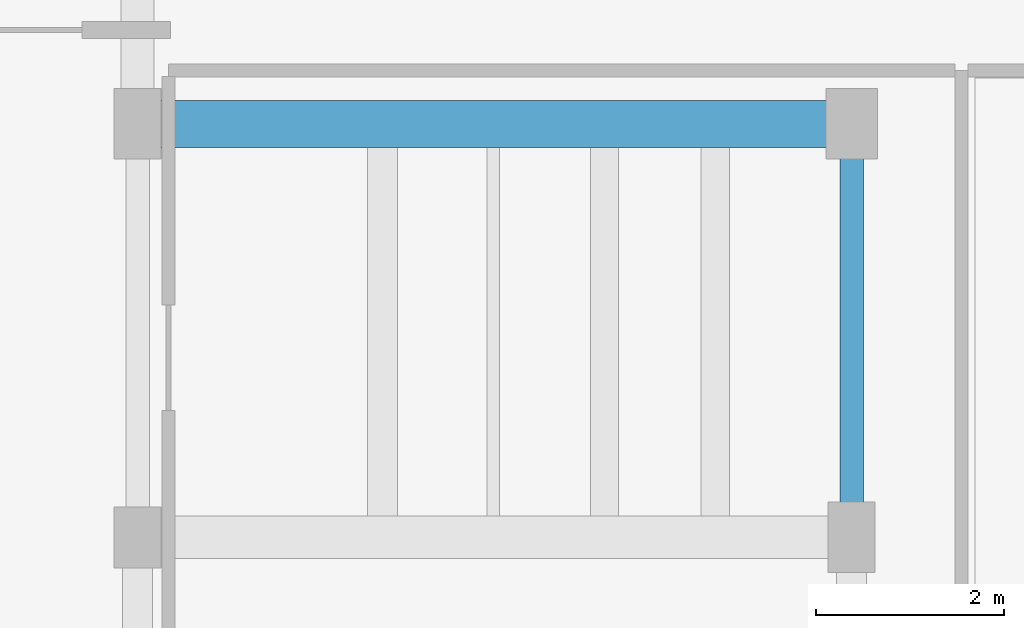
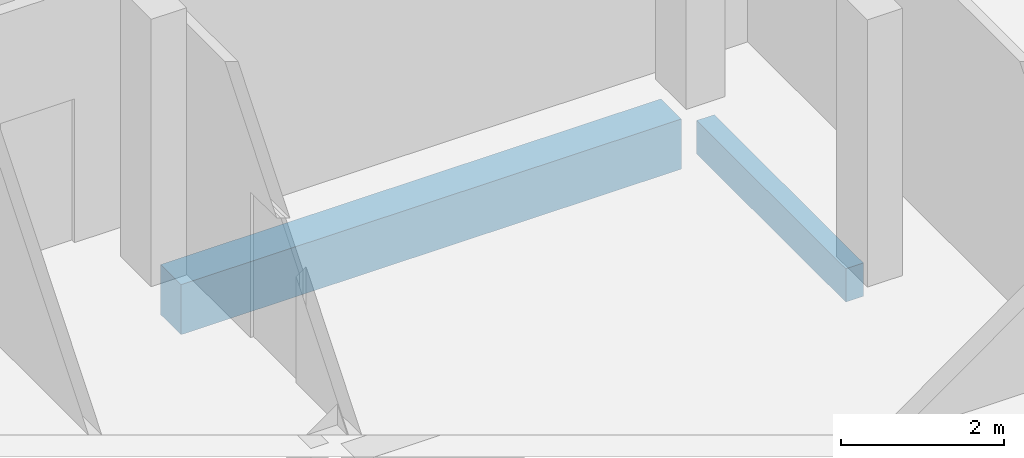
# One storey, part 38 of 89: 2 beams.
"""IFC4 building model written with IfcOpenShell, lengths in metres."""

from ifc_helpers import new_model, si_unit, direction, frame, origin, origin_2d, place, context, subcontext, project, spatial, rectangle, extrude, material, material_profile, profile_set, type_object, element, save


model = new_model("IFC4")

# Units and contexts
model_context = context("Model", 3, precision=1e-05, world=origin(), true_north=direction((0.0, 1.0)))
body_context = subcontext(model_context, "Body", "Model", "MODEL_VIEW")
ifc_project = project(units=[si_unit("LENGTHUNIT", "METRE"), si_unit("AREAUNIT", "SQUARE_METRE"), si_unit("VOLUMEUNIT", "CUBIC_METRE"), si_unit("PLANEANGLEUNIT", "RADIAN"), si_unit("MASSUNIT", "GRAM", prefix="KILO")], contexts=[model_context])

# Site, building, storey
site_placement = place(None, origin())
site = spatial("IfcSite", under=ifc_project, at=site_placement, CompositionType="ELEMENT")
building_placement = place(site_placement, origin())
building = spatial("IfcBuilding", under=site, at=building_placement, Name="Kelanivale Promenade Academy", CompositionType="ELEMENT")
storey_placement = place(building_placement, frame((0.0, 0.0, 12.199951171875)))
storey = spatial("IfcBuildingStorey", under=building, at=storey_placement, Name="L03", CompositionType="ELEMENT", Elevation=12.199951171875)

# Beams
ifc_material = material(Name="Concrete C35/45", Category="concrete")
ifc_material_profile_1 = material_profile(ifc_material, rectangle(XDim=0.5, YDim=0.75, at=origin_2d()), Name="RC-BM 500x750")
ifc_profile_set_1 = profile_set([ifc_material_profile_1], Name="Concrete C35/45")
beam_type_1 = type_object("IfcBeamType", Name="BM-06 RC-BM 500x750", PredefinedType="BEAM", material=ifc_profile_set_1)
beam_1_placement = place(storey_placement, frame((79.445068359375, 68.39990234375, -0.594970703125), z_axis=(1.0, 0.0, 0.0), x_axis=(0.0, 1.0, 0.0)))
element("IfcBeam", 1, at=beam_1_placement, inside=storey, type_object=beam_type_1, Name="L03 girder BM-06", PredefinedType="BEAM", context=body_context, shape_type="SweptSolid", body=[
    extrude(rectangle(XDim=0.5, YDim=0.75, at=origin_2d()), origin(), (0.0, 0.0, 1.0), 7.0849609375),
])
ifc_material_profile_2 = material_profile(ifc_material, rectangle(XDim=0.25, YDim=0.5, at=origin_2d()), Name="RC-BM 250x500")
ifc_profile_set_2 = profile_set([ifc_material_profile_2], Name="Concrete C35/45")
beam_type_2 = type_object("IfcBeamType", Name="LN-02 RC-BM 250x500", PredefinedType="LINTEL", material=ifc_profile_set_2)
beam_2_placement = place(storey_placement, frame((86.800048828125, 64.3701171875, -0.469970703125), z_axis=(0.0, 1.0, 0.0), x_axis=(-1.0, 0.0, 0.0)))
element("IfcBeam", 2, at=beam_2_placement, inside=storey, type_object=beam_type_2, Name="L03 beam LN-02", PredefinedType="LINTEL", context=body_context, shape_type="SweptSolid", body=[
    extrude(rectangle(XDim=0.25, YDim=0.5, at=origin_2d()), origin(), (0.0, 0.0, 1.0), 3.659912109375),
])

save(model, "model.ifc")
